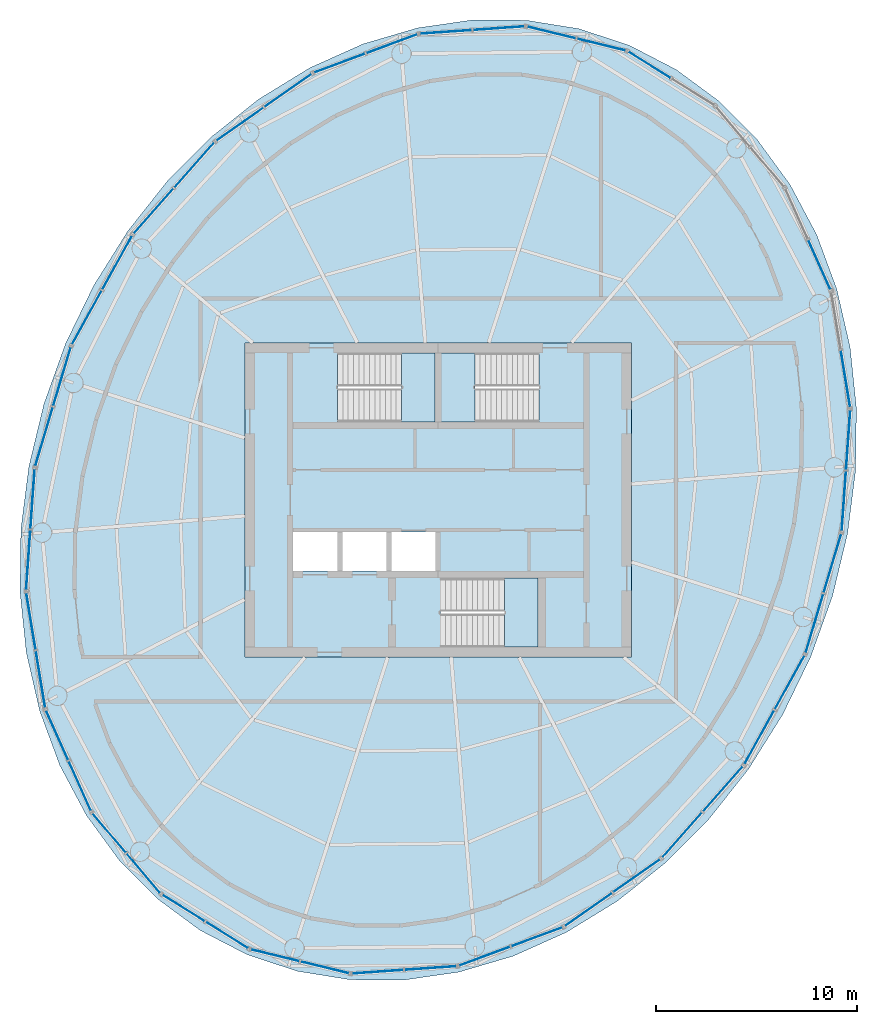
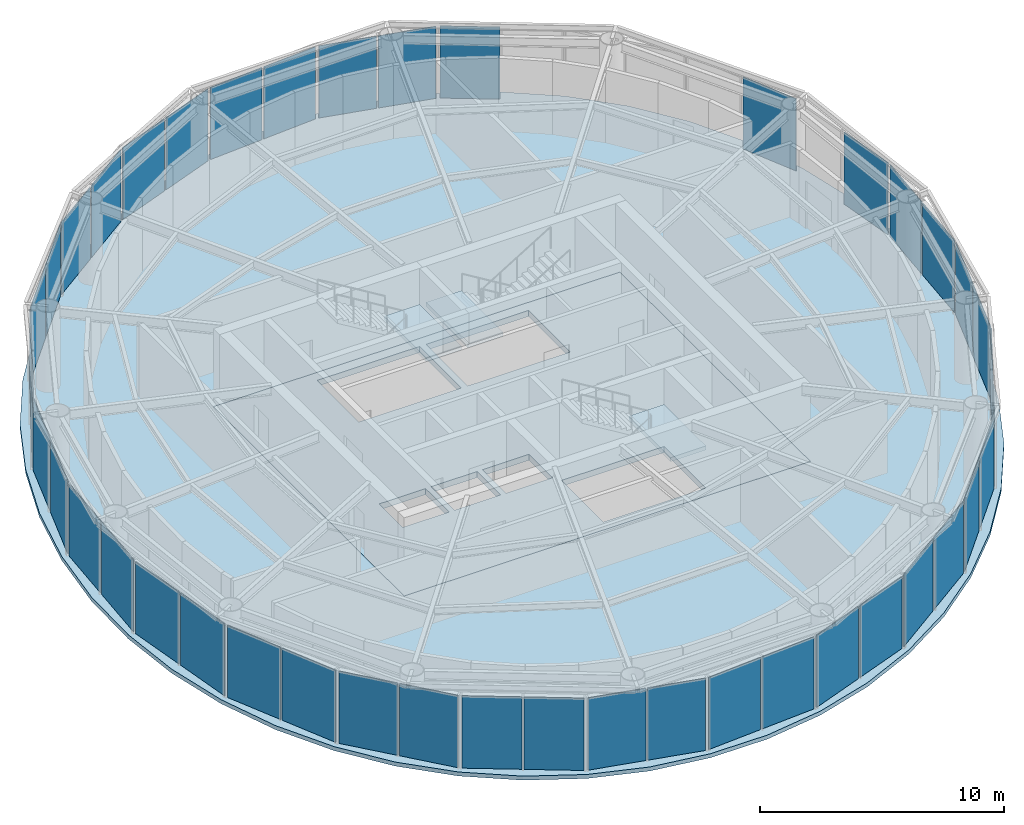
# One storey, part 7 of 11: 43 plates, 5 slabs, 26 elements without a shape of their own.
"""IFC4 building model written with IfcOpenShell, lengths in metres."""

from ifc_helpers import new_model, si_unit, direction, frame, origin, origin_2d, place, context, subcontext, project, spatial, polyline, rectangle, outline, extrude, material, layer, layer_set, type_object, element, aggregate, save


model = new_model("IFC4")

# Units and contexts
model_context = context("Model", 3, precision=1e-05, world=origin(), true_north=direction((0.0, 1.0)))
body_context = subcontext(model_context, "Body", "Model", "MODEL_VIEW")
ifc_project = project(units=[si_unit("LENGTHUNIT", "METRE"), si_unit("AREAUNIT", "SQUARE_METRE"), si_unit("VOLUMEUNIT", "CUBIC_METRE"), si_unit("PLANEANGLEUNIT", "RADIAN"), si_unit("MASSUNIT", "GRAM", prefix="KILO")], contexts=[model_context])

# Site, building, storey
site_placement = place(None, origin())
site = spatial("IfcSite", under=ifc_project, at=site_placement, CompositionType="ELEMENT")
building_placement = place(site_placement, origin())
building = spatial("IfcBuilding", under=site, at=building_placement, Name="Vermilion Reach Broadcast Tower", CompositionType="ELEMENT")
storey_placement = place(building_placement, frame((0.0, 0.0, 317.10009765625)))
storey = spatial("IfcBuildingStorey", under=building, at=storey_placement, Name="L79 CROWN", CompositionType="ELEMENT", Elevation=317.10009765625)

# Slab
ifc_material_1 = material(Name="Concrete C40", Category="concrete")
ifc_layer_1 = layer(ifc_material_1, 0.300048828125)
ifc_layer_set_1 = layer_set([ifc_layer_1], Name="Core floor slab 300 mm Concrete C40")
slab_type_1 = type_object("IfcSlabType", Name="Core floor slab 300 mm Concrete C40", PredefinedType="FLOOR", material=ifc_layer_set_1)
slab_1_placement = place(storey_placement, frame((0.0, 0.0, -0.300048828125)))
element("IfcSlab", 1, at=slab_1_placement, inside=storey, type_object=slab_type_1, Name="L79 CROWN core floor", PredefinedType="FLOOR", context=body_context, shape_type="SweptSolid", body=[
    extrude(outline(polyline([(-15.60009765625, -7.800048828125), (3.60009765625, -7.800048828125), (3.60009765625, 7.800048828125), (-15.60009765625, 7.800048828125), (-15.60009765625, -7.800048828125)]), holes=[polyline([(-13.199951171875, -3.530029296875), (-11.00830078125, -3.530029296875), (-11.00830078125, -1.60009765625), (-13.199951171875, -1.60009765625), (-13.199951171875, -3.530029296875)]), polyline([(-10.75830078125, -3.530029296875), (-8.566650390625, -3.530029296875), (-8.566650390625, -1.60009765625), (-10.75830078125, -1.60009765625), (-10.75830078125, -3.530029296875)]), polyline([(-8.316650390625, -3.530029296875), (-6.125, -3.530029296875), (-6.125, -1.60009765625), (-8.316650390625, -1.60009765625), (-8.316650390625, -3.530029296875)]), polyline([(-10.999267578125, 3.8798828125), (-6.14990234375, 3.8798828125), (-6.14990234375, 7.300048828125), (-10.999267578125, 7.300048828125), (-10.999267578125, 3.8798828125)]), polyline([(-1.000732421875, 7.300048828125), (-5.85009765625, 7.300048828125), (-5.85009765625, 3.8798828125), (-1.000732421875, 3.8798828125), (-1.000732421875, 7.300048828125)]), polyline([(-5.8994140625, -7.300048828125), (-1.050048828125, -7.300048828125), (-1.050048828125, -3.8798828125), (-5.8994140625, -3.8798828125), (-5.8994140625, -7.300048828125)])]), origin(), (0.0, 0.0, 1.0), 0.300048828125),
])

# Curtain wall, plates
ifc_material_2 = material(Name="Low-e laminated clear glass in aluminium frame", Category="aluminium")
curtain_wall_type = type_object("IfcCurtainWallType", Name="Crown glazing curtain wall", PredefinedType="NOTDEFINED", material=ifc_material_2)
placement_1 = place(storey_placement, origin())
curtain_wall_1 = element("IfcCurtainWall", 2, at=placement_1, inside=storey, type_object=curtain_wall_type, Name="Crown glazing L79 CROWN 01", PredefinedType="NOTDEFINED")
ifc_material_3 = material(Name="Low-e laminated clear glass", Category="glass")
ifc_layer_2 = layer(ifc_material_3, 0.031982421875)
ifc_layer_set_2 = layer_set([ifc_layer_2], Name="Crown glazing glass panel")
plate_type = type_object("IfcPlateType", Name="Crown glazing glass panel", PredefinedType="CURTAIN_PANEL", material=ifc_layer_set_2)
plate_1_placement = place(storey_placement, frame((2.09619140625, 22.6005859375, -0.000244140625), z_axis=(0.0, 0.0, 1.0), x_axis=(-0.971666912045, 0.236354420386, 0.0)))
plate_1 = element("IfcPlate", 3, at=plate_1_placement, type_object=plate_type, Name="Crown glazing glass panel L79 CROWN 01.1.1", PredefinedType="CURTAIN_PANEL", context=body_context, shape_type="SweptSolid", body=[
    extrude(rectangle(XDim=2.462158203125, YDim=0.031982421875, at=origin_2d()), origin(), (0.0, 0.0, 1.0), 3.60009765625),
])
plate_2_placement = place(storey_placement, frame((-0.373779296875, 23.201416015625, -0.000244140625), z_axis=(0.0, 0.0, 1.0), x_axis=(-0.971666912045, 0.236354420386, 0.0)))
plate_2 = element("IfcPlate", 4, at=plate_2_placement, type_object=plate_type, Name="Crown glazing glass panel L79 CROWN 01.2.1", PredefinedType="CURTAIN_PANEL", context=body_context, shape_type="SweptSolid", body=[
    extrude(rectangle(XDim=2.462158203125, YDim=0.031982421875, at=origin_2d()), origin(), (0.0, 0.0, 1.0), 3.60009765625),
])
aggregate(curtain_wall_1, [plate_1, plate_2])

curtain_wall_2 = element("IfcCurtainWall", 5, at=placement_1, inside=storey, type_object=curtain_wall_type, Name="Crown glazing L79 CROWN 02", PredefinedType="NOTDEFINED")
plate_3_placement = place(storey_placement, frame((-2.997314453125, 23.416259765625, -0.000244140625), z_axis=(0.0, 0.0, 1.0), x_axis=(-0.997541217224, -0.070082236977, 0.0)))
plate_3 = element("IfcPlate", 6, at=plate_3_placement, type_object=plate_type, Name="Crown glazing glass panel L79 CROWN 02.1.1", PredefinedType="CURTAIN_PANEL", context=body_context, shape_type="SweptSolid", body=[
    extrude(rectangle(XDim=2.546142578125, YDim=0.031982421875, at=origin_2d()), origin(), (0.0, 0.0, 1.0), 3.60009765625),
])
plate_4_placement = place(storey_placement, frame((-5.616943359375, 23.232421875, -0.000244140625), z_axis=(0.0, 0.0, 1.0), x_axis=(-0.997541217224, -0.070082236977, 0.0)))
plate_4 = element("IfcPlate", 7, at=plate_4_placement, type_object=plate_type, Name="Crown glazing glass panel L79 CROWN 02.2.1", PredefinedType="CURTAIN_PANEL", context=body_context, shape_type="SweptSolid", body=[
    extrude(rectangle(XDim=2.546142578125, YDim=0.031982421875, at=origin_2d()), origin(), (0.0, 0.0, 1.0), 3.60009765625),
])
aggregate(curtain_wall_2, [plate_3, plate_4])

curtain_wall_3 = element("IfcCurtainWall", 8, at=placement_1, inside=storey, type_object=curtain_wall_type, Name="Crown glazing L79 CROWN 03", PredefinedType="NOTDEFINED")
plate_5_placement = place(storey_placement, frame((-8.30078125, 22.6435546875, -0.000244140625), z_axis=(0.0, 0.0, 1.0), x_axis=(-0.93775740745, -0.347291008771, 0.0)))
plate_5 = element("IfcPlate", 9, at=plate_5_placement, type_object=plate_type, Name="Crown glazing glass panel L79 CROWN 03.1.1", PredefinedType="CURTAIN_PANEL", context=body_context, shape_type="SweptSolid", body=[
    extrude(rectangle(XDim=2.685302734375, YDim=0.031982421875, at=origin_2d()), origin(), (0.0, 0.0, 1.0), 3.60009765625),
])
plate_6_placement = place(storey_placement, frame((-10.89404296875, 21.68310546875, -0.000244140625), z_axis=(0.0, 0.0, 1.0), x_axis=(-0.93775740745, -0.347291008771, 0.0)))
plate_6 = element("IfcPlate", 10, at=plate_6_placement, type_object=plate_type, Name="Crown glazing glass panel L79 CROWN 03.2.1", PredefinedType="CURTAIN_PANEL", context=body_context, shape_type="SweptSolid", body=[
    extrude(rectangle(XDim=2.685302734375, YDim=0.031982421875, at=origin_2d()), origin(), (0.0, 0.0, 1.0), 3.60009765625),
])
aggregate(curtain_wall_3, [plate_5, plate_6])

curtain_wall_4 = element("IfcCurtainWall", 11, at=placement_1, inside=storey, type_object=curtain_wall_type, Name="Crown glazing L79 CROWN 04", PredefinedType="NOTDEFINED")
plate_7_placement = place(storey_placement, frame((-13.455322265625, 20.328369140625, -0.000244140625), z_axis=(0.0, 0.0, 1.0), x_axis=(-0.818740335317, -0.574163969023, 0.0)))
plate_7 = element("IfcPlate", 12, at=plate_7_placement, type_object=plate_type, Name="Crown glazing glass panel L79 CROWN 04.1.1", PredefinedType="CURTAIN_PANEL", context=body_context, shape_type="SweptSolid", body=[
    extrude(rectangle(XDim=2.837890625, YDim=0.031982421875, at=origin_2d()), origin(), (0.0, 0.0, 1.0), 3.60009765625),
])
plate_8_placement = place(storey_placement, frame((-15.84423828125, 18.653076171875, -0.000244140625), z_axis=(0.0, 0.0, 1.0), x_axis=(-0.818740335317, -0.574163969023, 0.0)))
plate_8 = element("IfcPlate", 13, at=plate_8_placement, type_object=plate_type, Name="Crown glazing glass panel L79 CROWN 04.2.1", PredefinedType="CURTAIN_PANEL", context=body_context, shape_type="SweptSolid", body=[
    extrude(rectangle(XDim=2.837890625, YDim=0.031982421875, at=origin_2d()), origin(), (0.0, 0.0, 1.0), 3.60009765625),
])
aggregate(curtain_wall_4, [plate_7, plate_8])

curtain_wall_5 = element("IfcCurtainWall", 14, at=placement_1, inside=storey, type_object=curtain_wall_type, Name="Crown glazing L79 CROWN 05", PredefinedType="NOTDEFINED")
plate_9_placement = place(storey_placement, frame((-18.107421875, 16.62353515625, -0.000244140625), z_axis=(0.0, 0.0, 1.0), x_axis=(-0.663238976934, -0.748407682668, 0.0)))
plate_9 = element("IfcPlate", 15, at=plate_9_placement, type_object=plate_type, Name="Crown glazing glass panel L79 CROWN 05.1.1", PredefinedType="CURTAIN_PANEL", context=body_context, shape_type="SweptSolid", body=[
    extrude(rectangle(XDim=2.963623046875, YDim=0.031982421875, at=origin_2d()), origin(), (0.0, 0.0, 1.0), 3.60009765625),
])
plate_10_placement = place(storey_placement, frame((-20.126220703125, 14.345458984375, -0.000244140625), z_axis=(0.0, 0.0, 1.0), x_axis=(-0.663238976934, -0.748407682668, 0.0)))
plate_10 = element("IfcPlate", 16, at=plate_10_placement, type_object=plate_type, Name="Crown glazing glass panel L79 CROWN 05.2.1", PredefinedType="CURTAIN_PANEL", context=body_context, shape_type="SweptSolid", body=[
    extrude(rectangle(XDim=2.963623046875, YDim=0.031982421875, at=origin_2d()), origin(), (0.0, 0.0, 1.0), 3.60009765625),
])
aggregate(curtain_wall_5, [plate_9, plate_10])

curtain_wall_6 = element("IfcCurtainWall", 17, at=placement_1, inside=storey, type_object=curtain_wall_type, Name="Crown glazing L79 CROWN 06", PredefinedType="NOTDEFINED")
plate_11_placement = place(storey_placement, frame((-21.935302734375, 11.779296875, -0.000244140625), z_axis=(0.0, 0.0, 1.0), x_axis=(-0.484153280738, -0.874983200268, 0.0)))
plate_11 = element("IfcPlate", 18, at=plate_11_placement, type_object=plate_type, Name="Crown glazing glass panel L79 CROWN 06.1.1", PredefinedType="CURTAIN_PANEL", context=body_context, shape_type="SweptSolid", body=[
    extrude(rectangle(XDim=3.033935546875, YDim=0.031982421875, at=origin_2d()), origin(), (0.0, 0.0, 1.0), 3.60009765625),
])
plate_12_placement = place(storey_placement, frame((-23.44287109375, 9.0546875, -0.000244140625), z_axis=(0.0, 0.0, 1.0), x_axis=(-0.484153280738, -0.874983200268, 0.0)))
plate_12 = element("IfcPlate", 19, at=plate_12_placement, type_object=plate_type, Name="Crown glazing glass panel L79 CROWN 06.2.1", PredefinedType="CURTAIN_PANEL", context=body_context, shape_type="SweptSolid", body=[
    extrude(rectangle(XDim=3.033935546875, YDim=0.031982421875, at=origin_2d()), origin(), (0.0, 0.0, 1.0), 3.60009765625),
])
aggregate(curtain_wall_6, [plate_11, plate_12])

curtain_wall_7 = element("IfcCurtainWall", 20, at=placement_1, inside=storey, type_object=curtain_wall_type, Name="Crown glazing L79 CROWN 07", PredefinedType="NOTDEFINED")
plate_13_placement = place(storey_placement, frame((-24.67333984375, 6.127197265625, -0.000244140625), z_axis=(0.0, 0.0, 1.0), x_axis=(-0.286407356394, -0.958107940789, 0.0)))
plate_13 = element("IfcPlate", 21, at=plate_13_placement, type_object=plate_type, Name="Crown glazing glass panel L79 CROWN 07.1.1", PredefinedType="CURTAIN_PANEL", context=body_context, shape_type="SweptSolid", body=[
    extrude(rectangle(XDim=3.033935546875, YDim=0.031982421875, at=origin_2d()), origin(), (0.0, 0.0, 1.0), 3.60009765625),
])
plate_14_placement = place(storey_placement, frame((-25.565185546875, 3.143798828125, -0.000244140625), z_axis=(0.0, 0.0, 1.0), x_axis=(-0.286407356394, -0.958107940789, 0.0)))
plate_14 = element("IfcPlate", 22, at=plate_14_placement, type_object=plate_type, Name="Crown glazing glass panel L79 CROWN 07.2.1", PredefinedType="CURTAIN_PANEL", context=body_context, shape_type="SweptSolid", body=[
    extrude(rectangle(XDim=3.033935546875, YDim=0.031982421875, at=origin_2d()), origin(), (0.0, 0.0, 1.0), 3.60009765625),
])
aggregate(curtain_wall_7, [plate_13, plate_14])

curtain_wall_8 = element("IfcCurtainWall", 23, at=placement_1, inside=storey, type_object=curtain_wall_type, Name="Crown glazing L79 CROWN 08", PredefinedType="NOTDEFINED")
plate_15_placement = place(storey_placement, frame((-26.133056640625, 0.0556640625, -0.000244140625), z_axis=(0.0, 0.0, 1.0), x_axis=(-0.070672712769, -0.997499557729, 0.0)))
plate_15 = element("IfcPlate", 24, at=plate_15_placement, type_object=plate_type, Name="Crown glazing glass panel L79 CROWN 08.1.1", PredefinedType="CURTAIN_PANEL", context=body_context, shape_type="SweptSolid", body=[
    extrude(rectangle(XDim=2.963623046875, YDim=0.031982421875, at=origin_2d()), origin(), (0.0, 0.0, 1.0), 3.60009765625),
])
plate_16_placement = place(storey_placement, frame((-26.34814453125, -2.98046875, -0.000244140625), z_axis=(0.0, 0.0, 1.0), x_axis=(-0.070672712769, -0.997499557729, 0.0)))
plate_16 = element("IfcPlate", 25, at=plate_16_placement, type_object=plate_type, Name="Crown glazing glass panel L79 CROWN 08.2.1", PredefinedType="CURTAIN_PANEL", context=body_context, shape_type="SweptSolid", body=[
    extrude(rectangle(XDim=2.963623046875, YDim=0.031982421875, at=origin_2d()), origin(), (0.0, 0.0, 1.0), 3.60009765625),
])
aggregate(curtain_wall_8, [plate_15, plate_16])

curtain_wall_9 = element("IfcCurtainWall", 26, at=placement_1, inside=storey, type_object=curtain_wall_type, Name="Crown glazing L79 CROWN 09", PredefinedType="NOTDEFINED")
plate_17_placement = place(storey_placement, frame((-26.21484375, -6.017333984375, -0.000244140625), z_axis=(0.0, 0.0, 1.0), x_axis=(0.162618011697, -0.986689101121, 0.0)))
plate_17 = element("IfcPlate", 27, at=plate_17_placement, type_object=plate_type, Name="Crown glazing glass panel L79 CROWN 09.1.1", PredefinedType="CURTAIN_PANEL", context=body_context, shape_type="SweptSolid", body=[
    extrude(rectangle(XDim=2.837890625, YDim=0.031982421875, at=origin_2d()), origin(), (0.0, 0.0, 1.0), 3.60009765625),
])
plate_18_placement = place(storey_placement, frame((-25.740234375, -8.896240234375, -0.000244140625), z_axis=(0.0, 0.0, 1.0), x_axis=(0.162618011697, -0.986689101121, 0.0)))
plate_18 = element("IfcPlate", 28, at=plate_18_placement, type_object=plate_type, Name="Crown glazing glass panel L79 CROWN 09.2.1", PredefinedType="CURTAIN_PANEL", context=body_context, shape_type="SweptSolid", body=[
    extrude(rectangle(XDim=2.837890625, YDim=0.031982421875, at=origin_2d()), origin(), (0.0, 0.0, 1.0), 3.60009765625),
])
aggregate(curtain_wall_9, [plate_17, plate_18])

curtain_wall_10 = element("IfcCurtainWall", 29, at=placement_1, inside=storey, type_object=curtain_wall_type, Name="Crown glazing L79 CROWN 10", PredefinedType="NOTDEFINED")
plate_19_placement = place(storey_placement, frame((-24.916015625, -11.67431640625, -0.000244140625), z_axis=(0.0, 0.0, 1.0), x_axis=(0.407984607158, -0.912988806241, 0.0)))
plate_19 = element("IfcPlate", 30, at=plate_19_placement, type_object=plate_type, Name="Crown glazing glass panel L79 CROWN 10.1.1", PredefinedType="CURTAIN_PANEL", context=body_context, shape_type="SweptSolid", body=[
    extrude(rectangle(XDim=2.685302734375, YDim=0.031982421875, at=origin_2d()), origin(), (0.0, 0.0, 1.0), 3.60009765625),
])
plate_20_placement = place(storey_placement, frame((-23.787841796875, -14.198974609375, -0.000244140625), z_axis=(0.0, 0.0, 1.0), x_axis=(0.407984607158, -0.912988806241, 0.0)))
plate_20 = element("IfcPlate", 31, at=plate_20_placement, type_object=plate_type, Name="Crown glazing glass panel L79 CROWN 10.2.1", PredefinedType="CURTAIN_PANEL", context=body_context, shape_type="SweptSolid", body=[
    extrude(rectangle(XDim=2.685302734375, YDim=0.031982421875, at=origin_2d()), origin(), (0.0, 0.0, 1.0), 3.60009765625),
])
aggregate(curtain_wall_10, [plate_19, plate_20])

curtain_wall_11 = element("IfcCurtainWall", 32, at=placement_1, inside=storey, type_object=curtain_wall_type, Name="Crown glazing L79 CROWN 11", PredefinedType="NOTDEFINED")
plate_21_placement = place(storey_placement, frame((-22.330810546875, -16.528564453125, -0.000244140625), z_axis=(0.0, 0.0, 1.0), x_axis=(0.647871252038, -0.761749854468, 0.0)))
plate_21 = element("IfcPlate", 33, at=plate_21_placement, type_object=plate_type, Name="Crown glazing glass panel L79 CROWN 11.1.1", PredefinedType="CURTAIN_PANEL", context=body_context, shape_type="SweptSolid", body=[
    extrude(rectangle(XDim=2.546142578125, YDim=0.031982421875, at=origin_2d()), origin(), (0.0, 0.0, 1.0), 3.60009765625),
])
plate_22_placement = place(storey_placement, frame((-20.62939453125, -18.52880859375, -0.000244140625), z_axis=(0.0, 0.0, 1.0), x_axis=(0.647871252038, -0.761749854468, 0.0)))
plate_22 = element("IfcPlate", 34, at=plate_22_placement, type_object=plate_type, Name="Crown glazing glass panel L79 CROWN 11.2.1", PredefinedType="CURTAIN_PANEL", context=body_context, shape_type="SweptSolid", body=[
    extrude(rectangle(XDim=2.546142578125, YDim=0.031982421875, at=origin_2d()), origin(), (0.0, 0.0, 1.0), 3.60009765625),
])
aggregate(curtain_wall_11, [plate_21, plate_22])

curtain_wall_12 = element("IfcCurtainWall", 35, at=placement_1, inside=storey, type_object=curtain_wall_type, Name="Crown glazing L79 CROWN 12", PredefinedType="NOTDEFINED")
plate_23_placement = place(storey_placement, frame((-18.64013671875, -20.2529296875, -0.000244140625), z_axis=(0.0, 0.0, 1.0), x_axis=(0.848708437827, -0.52886102859, 0.0)))
plate_23 = element("IfcPlate", 36, at=plate_23_placement, type_object=plate_type, Name="Crown glazing glass panel L79 CROWN 12.1.1", PredefinedType="CURTAIN_PANEL", context=body_context, shape_type="SweptSolid", body=[
    extrude(rectangle(XDim=2.462158203125, YDim=0.031982421875, at=origin_2d()), origin(), (0.0, 0.0, 1.0), 3.60009765625),
])
plate_24_placement = place(storey_placement, frame((-16.48291015625, -21.597412109375, -0.000244140625), z_axis=(0.0, 0.0, 1.0), x_axis=(0.848708437827, -0.52886102859, 0.0)))
plate_24 = element("IfcPlate", 37, at=plate_24_placement, type_object=plate_type, Name="Crown glazing glass panel L79 CROWN 12.2.1", PredefinedType="CURTAIN_PANEL", context=body_context, shape_type="SweptSolid", body=[
    extrude(rectangle(XDim=2.462158203125, YDim=0.031982421875, at=origin_2d()), origin(), (0.0, 0.0, 1.0), 3.60009765625),
])
aggregate(curtain_wall_12, [plate_23, plate_24])

curtain_wall_13 = element("IfcCurtainWall", 38, at=placement_1, inside=storey, type_object=curtain_wall_type, Name="Crown glazing L79 CROWN 13", PredefinedType="NOTDEFINED")
plate_25_placement = place(storey_placement, frame((-14.09619140625, -22.6005859375, -0.000244140625), z_axis=(0.0, 0.0, 1.0), x_axis=(0.971666912045, -0.236354420386, 0.0)))
plate_25 = element("IfcPlate", 39, at=plate_25_placement, type_object=plate_type, Name="Crown glazing glass panel L79 CROWN 13.1.1", PredefinedType="CURTAIN_PANEL", context=body_context, shape_type="SweptSolid", body=[
    extrude(rectangle(XDim=2.462158203125, YDim=0.031982421875, at=origin_2d()), origin(), (0.0, 0.0, 1.0), 3.60009765625),
])
plate_26_placement = place(storey_placement, frame((-11.626220703125, -23.201416015625, -0.000244140625), z_axis=(0.0, 0.0, 1.0), x_axis=(0.971666912045, -0.236354420386, 0.0)))
plate_26 = element("IfcPlate", 40, at=plate_26_placement, type_object=plate_type, Name="Crown glazing glass panel L79 CROWN 13.2.1", PredefinedType="CURTAIN_PANEL", context=body_context, shape_type="SweptSolid", body=[
    extrude(rectangle(XDim=2.462158203125, YDim=0.031982421875, at=origin_2d()), origin(), (0.0, 0.0, 1.0), 3.60009765625),
])
aggregate(curtain_wall_13, [plate_25, plate_26])

curtain_wall_14 = element("IfcCurtainWall", 41, at=placement_1, inside=storey, type_object=curtain_wall_type, Name="Crown glazing L79 CROWN 14", PredefinedType="NOTDEFINED")
plate_27_placement = place(storey_placement, frame((-9.002685546875, -23.416259765625, -0.000244140625), z_axis=(0.0, 0.0, 1.0), x_axis=(0.997541217224, 0.070082236977, 0.0)))
plate_27 = element("IfcPlate", 42, at=plate_27_placement, type_object=plate_type, Name="Crown glazing glass panel L79 CROWN 14.1.1", PredefinedType="CURTAIN_PANEL", context=body_context, shape_type="SweptSolid", body=[
    extrude(rectangle(XDim=2.546142578125, YDim=0.031982421875, at=origin_2d()), origin(), (0.0, 0.0, 1.0), 3.60009765625),
])
plate_28_placement = place(storey_placement, frame((-6.383056640625, -23.232421875, -0.000244140625), z_axis=(0.0, 0.0, 1.0), x_axis=(0.997541217224, 0.070082236977, 0.0)))
plate_28 = element("IfcPlate", 43, at=plate_28_placement, type_object=plate_type, Name="Crown glazing glass panel L79 CROWN 14.2.1", PredefinedType="CURTAIN_PANEL", context=body_context, shape_type="SweptSolid", body=[
    extrude(rectangle(XDim=2.546142578125, YDim=0.031982421875, at=origin_2d()), origin(), (0.0, 0.0, 1.0), 3.60009765625),
])
aggregate(curtain_wall_14, [plate_27, plate_28])

curtain_wall_15 = element("IfcCurtainWall", 44, at=placement_1, inside=storey, type_object=curtain_wall_type, Name="Crown glazing L79 CROWN 15", PredefinedType="NOTDEFINED")
plate_29_placement = place(storey_placement, frame((-3.69921875, -22.6435546875, -0.000244140625), z_axis=(0.0, 0.0, 1.0), x_axis=(0.93775740745, 0.347291008771, 0.0)))
plate_29 = element("IfcPlate", 45, at=plate_29_placement, type_object=plate_type, Name="Crown glazing glass panel L79 CROWN 15.1.1", PredefinedType="CURTAIN_PANEL", context=body_context, shape_type="SweptSolid", body=[
    extrude(rectangle(XDim=2.685302734375, YDim=0.031982421875, at=origin_2d()), origin(), (0.0, 0.0, 1.0), 3.60009765625),
])
plate_30_placement = place(storey_placement, frame((-1.10595703125, -21.68310546875, -0.000244140625), z_axis=(0.0, 0.0, 1.0), x_axis=(0.93775740745, 0.347291008771, 0.0)))
plate_30 = element("IfcPlate", 46, at=plate_30_placement, type_object=plate_type, Name="Crown glazing glass panel L79 CROWN 15.2.1", PredefinedType="CURTAIN_PANEL", context=body_context, shape_type="SweptSolid", body=[
    extrude(rectangle(XDim=2.685302734375, YDim=0.031982421875, at=origin_2d()), origin(), (0.0, 0.0, 1.0), 3.60009765625),
])
aggregate(curtain_wall_15, [plate_29, plate_30])

curtain_wall_16 = element("IfcCurtainWall", 47, at=placement_1, inside=storey, type_object=curtain_wall_type, Name="Crown glazing L79 CROWN 16", PredefinedType="NOTDEFINED")
plate_31_placement = place(storey_placement, frame((1.455322265625, -20.328369140625, -0.000244140625), z_axis=(0.0, 0.0, 1.0), x_axis=(0.818740335317, 0.574163969023, 0.0)))
plate_31 = element("IfcPlate", 48, at=plate_31_placement, type_object=plate_type, Name="Crown glazing glass panel L79 CROWN 16.1.1", PredefinedType="CURTAIN_PANEL", context=body_context, shape_type="SweptSolid", body=[
    extrude(rectangle(XDim=2.837890625, YDim=0.031982421875, at=origin_2d()), origin(), (0.0, 0.0, 1.0), 3.60009765625),
])
plate_32_placement = place(storey_placement, frame((3.84423828125, -18.653076171875, -0.000244140625), z_axis=(0.0, 0.0, 1.0), x_axis=(0.818740335317, 0.574163969023, 0.0)))
plate_32 = element("IfcPlate", 49, at=plate_32_placement, type_object=plate_type, Name="Crown glazing glass panel L79 CROWN 16.2.1", PredefinedType="CURTAIN_PANEL", context=body_context, shape_type="SweptSolid", body=[
    extrude(rectangle(XDim=2.837890625, YDim=0.031982421875, at=origin_2d()), origin(), (0.0, 0.0, 1.0), 3.60009765625),
])
aggregate(curtain_wall_16, [plate_31, plate_32])

curtain_wall_17 = element("IfcCurtainWall", 50, at=placement_1, inside=storey, type_object=curtain_wall_type, Name="Crown glazing L79 CROWN 17", PredefinedType="NOTDEFINED")
plate_33_placement = place(storey_placement, frame((6.107421875, -16.62353515625, -0.000244140625), z_axis=(0.0, 0.0, 1.0), x_axis=(0.663238976934, 0.748407682668, 0.0)))
plate_33 = element("IfcPlate", 51, at=plate_33_placement, type_object=plate_type, Name="Crown glazing glass panel L79 CROWN 17.1.1", PredefinedType="CURTAIN_PANEL", context=body_context, shape_type="SweptSolid", body=[
    extrude(rectangle(XDim=2.963623046875, YDim=0.031982421875, at=origin_2d()), origin(), (0.0, 0.0, 1.0), 3.60009765625),
])
plate_34_placement = place(storey_placement, frame((8.126220703125, -14.345458984375, -0.000244140625), z_axis=(0.0, 0.0, 1.0), x_axis=(0.663238976934, 0.748407682668, 0.0)))
plate_34 = element("IfcPlate", 52, at=plate_34_placement, type_object=plate_type, Name="Crown glazing glass panel L79 CROWN 17.2.1", PredefinedType="CURTAIN_PANEL", context=body_context, shape_type="SweptSolid", body=[
    extrude(rectangle(XDim=2.963623046875, YDim=0.031982421875, at=origin_2d()), origin(), (0.0, 0.0, 1.0), 3.60009765625),
])
aggregate(curtain_wall_17, [plate_33, plate_34])

curtain_wall_18 = element("IfcCurtainWall", 53, at=placement_1, inside=storey, type_object=curtain_wall_type, Name="Crown glazing L79 CROWN 18", PredefinedType="NOTDEFINED")
plate_35_placement = place(storey_placement, frame((9.935302734375, -11.779296875, -0.000244140625), z_axis=(0.0, 0.0, 1.0), x_axis=(0.484153280738, 0.874983200268, 0.0)))
plate_35 = element("IfcPlate", 54, at=plate_35_placement, type_object=plate_type, Name="Crown glazing glass panel L79 CROWN 18.1.1", PredefinedType="CURTAIN_PANEL", context=body_context, shape_type="SweptSolid", body=[
    extrude(rectangle(XDim=3.033935546875, YDim=0.031982421875, at=origin_2d()), origin(), (0.0, 0.0, 1.0), 3.60009765625),
])
plate_36_placement = place(storey_placement, frame((11.44287109375, -9.0546875, -0.000244140625), z_axis=(0.0, 0.0, 1.0), x_axis=(0.484153280738, 0.874983200268, 0.0)))
plate_36 = element("IfcPlate", 55, at=plate_36_placement, type_object=plate_type, Name="Crown glazing glass panel L79 CROWN 18.2.1", PredefinedType="CURTAIN_PANEL", context=body_context, shape_type="SweptSolid", body=[
    extrude(rectangle(XDim=3.033935546875, YDim=0.031982421875, at=origin_2d()), origin(), (0.0, 0.0, 1.0), 3.60009765625),
])
aggregate(curtain_wall_18, [plate_35, plate_36])

curtain_wall_19 = element("IfcCurtainWall", 56, at=placement_1, inside=storey, type_object=curtain_wall_type, Name="Crown glazing L79 CROWN 19", PredefinedType="NOTDEFINED")
plate_37_placement = place(storey_placement, frame((12.67333984375, -6.127197265625, -0.000244140625), z_axis=(0.0, 0.0, 1.0), x_axis=(0.286407356394, 0.958107940789, 0.0)))
plate_37 = element("IfcPlate", 57, at=plate_37_placement, type_object=plate_type, Name="Crown glazing glass panel L79 CROWN 19.1.1", PredefinedType="CURTAIN_PANEL", context=body_context, shape_type="SweptSolid", body=[
    extrude(rectangle(XDim=3.033935546875, YDim=0.031982421875, at=origin_2d()), origin(), (0.0, 0.0, 1.0), 3.60009765625),
])
plate_38_placement = place(storey_placement, frame((13.565185546875, -3.143798828125, -0.000244140625), z_axis=(0.0, 0.0, 1.0), x_axis=(0.286407356394, 0.958107940789, 0.0)))
plate_38 = element("IfcPlate", 58, at=plate_38_placement, type_object=plate_type, Name="Crown glazing glass panel L79 CROWN 19.2.1", PredefinedType="CURTAIN_PANEL", context=body_context, shape_type="SweptSolid", body=[
    extrude(rectangle(XDim=3.033935546875, YDim=0.031982421875, at=origin_2d()), origin(), (0.0, 0.0, 1.0), 3.60009765625),
])
aggregate(curtain_wall_19, [plate_37, plate_38])

curtain_wall_20 = element("IfcCurtainWall", 59, at=placement_1, inside=storey, type_object=curtain_wall_type, Name="Crown glazing L79 CROWN 20", PredefinedType="NOTDEFINED")
plate_39_placement = place(storey_placement, frame((14.133056640625, -0.0556640625, -0.000244140625), z_axis=(0.0, 0.0, 1.0), x_axis=(0.070672712769, 0.997499557729, 0.0)))
plate_39 = element("IfcPlate", 60, at=plate_39_placement, type_object=plate_type, Name="Crown glazing glass panel L79 CROWN 20.1.1", PredefinedType="CURTAIN_PANEL", context=body_context, shape_type="SweptSolid", body=[
    extrude(rectangle(XDim=2.963623046875, YDim=0.031982421875, at=origin_2d()), origin(), (0.0, 0.0, 1.0), 3.60009765625),
])
plate_40_placement = place(storey_placement, frame((14.34814453125, 2.98046875, -0.000244140625), z_axis=(0.0, 0.0, 1.0), x_axis=(0.070672712769, 0.997499557729, 0.0)))
plate_40 = element("IfcPlate", 61, at=plate_40_placement, type_object=plate_type, Name="Crown glazing glass panel L79 CROWN 20.2.1", PredefinedType="CURTAIN_PANEL", context=body_context, shape_type="SweptSolid", body=[
    extrude(rectangle(XDim=2.963623046875, YDim=0.031982421875, at=origin_2d()), origin(), (0.0, 0.0, 1.0), 3.60009765625),
])
aggregate(curtain_wall_20, [plate_39, plate_40])

# Curtain wall, plate
curtain_wall_21 = element("IfcCurtainWall", 62, at=placement_1, inside=storey, type_object=curtain_wall_type, Name="Crown glazing L79 CROWN 21", PredefinedType="NOTDEFINED")
plate_41_placement = place(storey_placement, frame((14.21484375, 6.017333984375, -0.000244140625), z_axis=(0.0, 0.0, 1.0), x_axis=(-0.162618011697, 0.986689101121, 0.0)))
plate_41 = element("IfcPlate", 63, at=plate_41_placement, type_object=plate_type, Name="Crown glazing glass panel L79 CROWN 21.1.1", PredefinedType="CURTAIN_PANEL", context=body_context, shape_type="SweptSolid", body=[
    extrude(rectangle(XDim=2.837890625, YDim=0.031982421875, at=origin_2d()), origin(), (0.0, 0.0, 1.0), 3.60009765625),
])
aggregate(curtain_wall_21, [plate_41])

curtain_wall_22 = element("IfcCurtainWall", 64, at=placement_1, inside=storey, type_object=curtain_wall_type, Name="Crown glazing L79 CROWN 22", PredefinedType="NOTDEFINED")
plate_42_placement = place(storey_placement, frame((12.916015625, 11.67431640625, -0.000244140625), z_axis=(0.0, 0.0, 1.0), x_axis=(-0.407984607158, 0.912988806241, 0.0)))
plate_42 = element("IfcPlate", 65, at=plate_42_placement, type_object=plate_type, Name="Crown glazing glass panel L79 CROWN 22.1.1", PredefinedType="CURTAIN_PANEL", context=body_context, shape_type="SweptSolid", body=[
    extrude(rectangle(XDim=2.685302734375, YDim=0.031982421875, at=origin_2d()), origin(), (0.0, 0.0, 1.0), 3.60009765625),
])
aggregate(curtain_wall_22, [plate_42])

curtain_wall_23 = element("IfcCurtainWall", 66, at=placement_1, inside=storey, type_object=curtain_wall_type, Name="Crown glazing L79 CROWN 24", PredefinedType="NOTDEFINED")
plate_43_placement = place(storey_placement, frame((4.48291015625, 21.597412109375, -0.000244140625), z_axis=(0.0, 0.0, 1.0), x_axis=(-0.848708437827, 0.52886102859, 0.0)))
plate_43 = element("IfcPlate", 67, at=plate_43_placement, type_object=plate_type, Name="Crown glazing glass panel L79 CROWN 24.2.1", PredefinedType="CURTAIN_PANEL", context=body_context, shape_type="SweptSolid", body=[
    extrude(rectangle(XDim=2.462158203125, YDim=0.031982421875, at=origin_2d()), origin(), (0.0, 0.0, 1.0), 3.60009765625),
])
aggregate(curtain_wall_23, [plate_43])

# Stair, slab
ifc_material_4 = material(Name="Concrete C40", Category="concrete")
stair_type = type_object("IfcStairType", Name="Exit stair RC 26 risers 162 mm", PredefinedType="HALF_TURN_STAIR", material=ifc_material_4)
stair_1 = element("IfcStair", 68, at=placement_1, inside=storey, type_object=stair_type, Name="L79 CROWN Exit stair ST1", PredefinedType="HALF_TURN_STAIR")
ifc_material_5 = material(Name="Concrete C40", Category="concrete")
ifc_layer_3 = layer(ifc_material_5, 0.199951171875)
ifc_layer_set_3 = layer_set([ifc_layer_3], Name="Exit stair landing Concrete C40")
slab_type_2 = type_object("IfcSlabType", Name="Exit stair landing Concrete C40", PredefinedType="LANDING", material=ifc_layer_set_3)
placement_2 = place(storey_placement, frame((0.0, 0.0, 1.89990234375)))
slab_2 = element("IfcSlab", 69, at=placement_2, type_object=slab_type_2, Name="ST1 landing 1", PredefinedType="LANDING", context=body_context, shape_type="SweptSolid", body=[
    extrude(outline(polyline([(-7.820068359375, 3.8798828125), (-6.14990234375, 3.8798828125), (-6.14990234375, 7.300048828125), (-7.820068359375, 7.300048828125), (-7.820068359375, 3.8798828125)])), origin(), (0.0, 0.0, 1.0), 0.199951171875),
])
aggregate(stair_1, [slab_2])

stair_2 = element("IfcStair", 70, at=placement_1, inside=storey, type_object=stair_type, Name="L79 CROWN Exit stair ST2", PredefinedType="HALF_TURN_STAIR")
slab_3 = element("IfcSlab", 71, at=placement_2, type_object=slab_type_2, Name="ST2 landing 1", PredefinedType="LANDING", context=body_context, shape_type="SweptSolid", body=[
    extrude(outline(polyline([(-4.179931640625, 7.300048828125), (-5.85009765625, 7.300048828125), (-5.85009765625, 3.8798828125), (-4.179931640625, 3.8798828125), (-4.179931640625, 7.300048828125)])), origin(), (0.0, 0.0, 1.0), 0.199951171875),
])
aggregate(stair_2, [slab_3])

stair_3 = element("IfcStair", 72, at=placement_1, inside=storey, type_object=stair_type, Name="L79 CROWN Exit stair ST3", PredefinedType="HALF_TURN_STAIR")
slab_4 = element("IfcSlab", 73, at=placement_2, type_object=slab_type_2, Name="ST3 landing 1", PredefinedType="LANDING", context=body_context, shape_type="SweptSolid", body=[
    extrude(outline(polyline([(-2.719970703125, -7.300048828125), (-1.050048828125, -7.300048828125), (-1.050048828125, -3.8798828125), (-2.719970703125, -3.8798828125), (-2.719970703125, -7.300048828125)])), origin(), (0.0, 0.0, 1.0), 0.199951171875),
])
aggregate(stair_3, [slab_4])

# Slab
ifc_material_6 = material(Name="Concrete C40", Category="concrete")
ifc_layer_4 = layer(ifc_material_6, 0.199951171875)
ifc_layer_set_4 = layer_set([ifc_layer_4], Name="Floor slab Concrete C40 200")
slab_type_3 = type_object("IfcSlabType", Name="Floor slab Concrete C40 200", PredefinedType="FLOOR", material=ifc_layer_set_4)
slab_5_placement = place(storey_placement, frame((0.0, 0.0, -0.2001953125)))
element("IfcSlab", 74, at=slab_5_placement, inside=storey, type_object=slab_type_3, Name="Floor slab L79 CROWN", PredefinedType="FLOOR", context=body_context, shape_type="SweptSolid", body=[
    extrude(outline(polyline([(3.486328125, 22.567138671875), (0.991455078125, 23.388916015625), (-1.623046875, 23.810302734375), (-4.3125, 23.82421875), (-7.03076171875, 23.4306640625), (-9.7314453125, 22.635986328125), (-12.368408203125, 21.4541015625), (-14.896240234375, 19.9052734375), (-17.271728515625, 18.015625), (-19.45458984375, 15.81787109375), (-21.4072265625, 13.349609375), (-23.09619140625, 10.652587890625), (-24.49267578125, 7.773681640625), (-25.572509765625, 4.761474609375), (-26.317626953125, 1.66796875), (-26.715087890625, -1.454345703125), (-26.75830078125, -4.551513671875), (-26.446044921875, -7.57080078125), (-25.7841796875, -10.460693359375), (-24.78369140625, -13.171630859375), (-23.461669921875, -15.656982421875), (-21.841064453125, -17.87451171875), (-19.949462890625, -19.786376953125), (-17.819091796875, -21.359375), (-15.486328125, -22.567138671875), (-12.991455078125, -23.388916015625), (-10.376953125, -23.810302734375), (-7.6875, -23.82421875), (-4.96923828125, -23.4306640625), (-2.2685546875, -22.635986328125), (0.368408203125, -21.4541015625), (2.896240234375, -19.9052734375), (5.271728515625, -18.015625), (7.45458984375, -15.81787109375), (9.4072265625, -13.349609375), (11.09619140625, -10.652587890625), (12.49267578125, -7.773681640625), (13.572509765625, -4.761474609375), (14.317626953125, -1.66796875), (14.715087890625, 1.454345703125), (14.75830078125, 4.551513671875), (14.446044921875, 7.57080078125), (13.7841796875, 10.460693359375), (12.78369140625, 13.171630859375), (11.461669921875, 15.656982421875), (9.841064453125, 17.87451171875), (7.949462890625, 19.786376953125), (5.819091796875, 21.359375), (3.486328125, 22.567138671875)]), holes=[polyline([(-15.60009765625, -7.800048828125), (3.60009765625, -7.800048828125), (3.60009765625, 7.800048828125), (-15.60009765625, 7.800048828125), (-15.60009765625, -7.800048828125)])]), origin(), (0.0, 0.0, 1.0), 0.2001953125),
])

save(model, "model.ifc")
